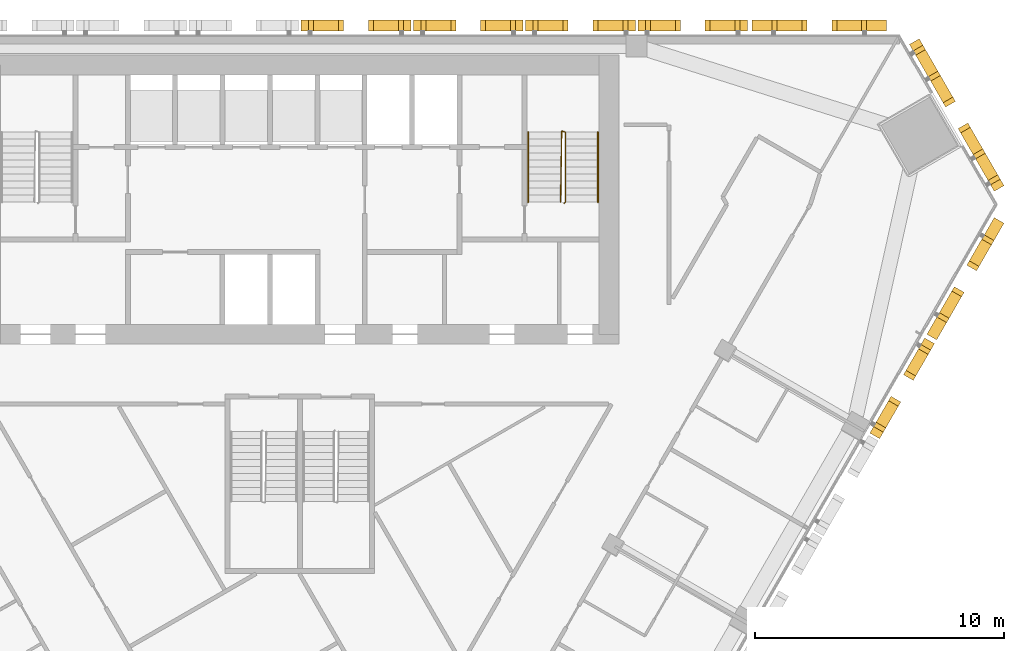
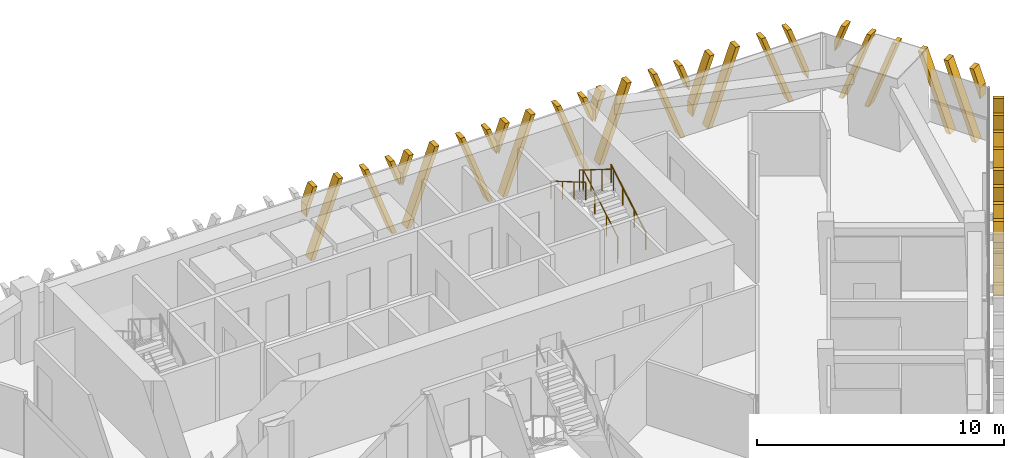
# One storey, part 15 of 16: 8 shading devices, 3 railings.
"""IFC4 building model written with IfcOpenShell, lengths in metres."""

from ifc_helpers import new_model, si_unit, direction, frame, origin, origin_2d, place, context, subcontext, project, spatial, polyline, circle, outline, extrude, source, transform, mapped, material, type_object, element, save


model = new_model("IFC4")

# Units and contexts
model_context = context("Model", 3, precision=1e-05, world=origin(), true_north=direction((0.0, 1.0)))
body_context = subcontext(model_context, "Body", "Model", "MODEL_VIEW")
ifc_project = project(units=[si_unit("LENGTHUNIT", "METRE"), si_unit("AREAUNIT", "SQUARE_METRE"), si_unit("VOLUMEUNIT", "CUBIC_METRE"), si_unit("PLANEANGLEUNIT", "RADIAN"), si_unit("MASSUNIT", "GRAM", prefix="KILO")], contexts=[model_context])

# Site, building, storey
site_placement = place(None, origin())
site = spatial("IfcSite", under=ifc_project, at=site_placement, CompositionType="ELEMENT")
building_placement = place(site_placement, origin())
building = spatial("IfcBuilding", under=site, at=building_placement, Name="Altiplano Prism Tower", CompositionType="ELEMENT")
storey_placement = place(building_placement, frame((0.0, 0.0, 127.800048828125)))
storey = spatial("IfcBuildingStorey", under=building, at=storey_placement, Name="L32", CompositionType="ELEMENT", Elevation=127.800048828125)

# Railings
ifc_material_1 = material(Name="Steel S355", Category="steel")
railing_type_1 = type_object("IfcRailingType", Name="Stair guard 1100", PredefinedType="GUARDRAIL", material=ifc_material_1)
railing_1_placement = place(storey_placement, frame((95.60009765625, 98.25, 0.0)))
element("IfcRailing", 1, at=railing_1_placement, inside=storey, type_object=railing_type_1, Name="L32 ST2 stair guard 1", PredefinedType="GUARDRAIL", context=body_context, shape_type="SweptSolid", body=[
    extrude(circle(Radius=0.02392578125, at=origin_2d()), frame((0.0, 0.0, 1.076171875), z_axis=(0.279546231943, 0.280916556609, 0.91811752648), x_axis=(-0.708833529934, 0.705375805398, 0.0)), (0.0, 0.0, 1.0), 0.17822265625),
    extrude(circle(Radius=0.02392578125, at=origin_2d()), frame((0.0498046875, 0.050048828125, 1.23974609375), z_axis=(0.0, 0.863360870873, 0.504586966384), x_axis=(-1.0, 0.0, 0.0)), (0.0, 0.0, 1.0), 3.2431640625),
    extrude(circle(Radius=0.02392578125, at=origin_2d()), frame((0.0498046875, 2.85009765625, 2.8759765625), z_axis=(-0.948991962702, 0.315300261223, 0.0), x_axis=(-0.315300261223, -0.948991962702, 0.0)), (0.0, 0.0, 1.0), 0.157958984375),
    extrude(circle(Radius=0.02392578125, at=origin_2d()), frame((-0.10009765625, 2.89990234375, 2.8759765625), z_axis=(-0.014846992469, -0.845409478506, 0.533912334065), x_axis=(0.999845825584, -0.017559187376, 0.0)), (0.0, 0.0, 1.0), 3.37109375),
    extrude(circle(Radius=0.02099609375, at=origin_2d()), origin(), (0.0, 0.0, 1.0), 1.052001953125),
    extrude(circle(Radius=0.02099609375, at=origin_2d()), frame((0.0498046875, 0.050048828125, 0.16357421875)), (0.0, 0.0, 1.0), 1.052001953125),
    extrude(circle(Radius=0.02099609375, at=origin_2d()), frame((0.0498046875, 0.9833984375, 0.708984375)), (0.0, 0.0, 1.0), 1.052001953125),
    extrude(circle(Radius=0.02099609375, at=origin_2d()), frame((0.0498046875, 1.916748046875, 1.254638671875)), (0.0, 0.0, 1.0), 1.052001953125),
    extrude(circle(Radius=0.02099609375, at=origin_2d()), frame((0.0498046875, 2.85009765625, 1.800048828125)), (0.0, 0.0, 1.0), 1.052001953125),
    extrude(circle(Radius=0.02099609375, at=origin_2d()), frame((-0.10009765625, 2.89990234375, 1.800048828125)), (0.0, 0.0, 1.0), 1.052001953125),
    extrude(circle(Radius=0.02099609375, at=origin_2d()), frame((-0.11669921875, 1.949951171875, 2.39990234375)), (0.0, 0.0, 1.0), 1.052001953125),
    extrude(circle(Radius=0.02099609375, at=origin_2d()), frame((-0.133544921875, 1.0, 3.0)), (0.0, 0.0, 1.0), 1.052001953125),
    extrude(circle(Radius=0.02099609375, at=origin_2d()), frame((-0.150146484375, 0.050048828125, 3.599853515625)), (0.0, 0.0, 1.0), 1.052001953125),
])
railing_type_2 = type_object("IfcRailingType", Name="Stair handrail 900", PredefinedType="HANDRAIL", material=ifc_material_1)
railing_2_placement = place(storey_placement, frame((96.949951171875, 98.300048828125, 0.16357421875)))
element("IfcRailing", 2, at=railing_2_placement, inside=storey, type_object=railing_type_2, Name="L32 ST2 stair handrail 1", PredefinedType="HANDRAIL", context=body_context, shape_type="SweptSolid", body=[
    extrude(circle(Radius=0.02392578125, at=origin_2d()), frame((0.0, 0.0, 0.8759765625), z_axis=(0.0, 0.863360870873, 0.504586966384), x_axis=(-1.0, 0.0, 0.0)), (0.0, 0.0, 1.0), 3.2431640625),
    extrude(circle(Radius=0.02099609375, at=origin_2d()), origin(), (0.0, 0.0, 1.0), 0.851806640625),
    extrude(circle(Radius=0.02099609375, at=origin_2d()), frame((0.0, 0.933349609375, 0.54541015625)), (0.0, 0.0, 1.0), 0.851806640625),
    extrude(circle(Radius=0.02099609375, at=origin_2d()), frame((0.0, 1.86669921875, 1.091064453125)), (0.0, 0.0, 1.0), 0.851806640625),
    extrude(circle(Radius=0.02099609375, at=origin_2d()), frame((0.0, 2.800048828125, 1.636474609375)), (0.0, 0.0, 1.0), 0.851806640625),
])
railing_3_placement = place(storey_placement, frame((94.14990234375, 101.10009765625, 1.963623046875)))
element("IfcRailing", 3, at=railing_3_placement, inside=storey, type_object=railing_type_2, Name="L32 ST2 stair handrail 2", PredefinedType="HANDRAIL", context=body_context, shape_type="SweptSolid", body=[
    extrude(circle(Radius=0.02392578125, at=origin_2d()), frame((0.0, 0.0, 0.8759765625), z_axis=(0.0, -0.863393664356, 0.504530851732), x_axis=(1.0, 0.0, 0.0)), (0.0, 0.0, 1.0), 3.2431640625),
    extrude(circle(Radius=0.02099609375, at=origin_2d()), origin(), (0.0, 0.0, 1.0), 0.851806640625),
    extrude(circle(Radius=0.02099609375, at=origin_2d()), frame((0.0, -0.933349609375, 0.54541015625)), (0.0, 0.0, 1.0), 0.851806640625),
    extrude(circle(Radius=0.02099609375, at=origin_2d()), frame((0.0, -1.86669921875, 1.0908203125)), (0.0, 0.0, 1.0), 0.851806640625),
    extrude(circle(Radius=0.02099609375, at=origin_2d()), frame((0.0, -2.800048828125, 1.63623046875)), (0.0, 0.0, 1.0), 0.851806640625),
])

# Shading devices
ifc_material_2 = material(Name="Warm limestone cast stone", Category="masonry")
shading_device_type_1 = type_object("IfcShadingDeviceType", Name="Stone fin panel, standard unit", PredefinedType="USERDEFINED", material=ifc_material_2)
shared_shape_1 = source(origin(), body_context, "Body", "SweptSolid", [
    extrude(outline(polyline([(-2.199951171875, 2.226318359375), (-1.699951171875, 3.60009765625), (-1.89990234375, 3.60009765625), (-2.199951171875, 2.77587890625), (-2.199951171875, 2.226318359375)])), frame((0.0, -0.14990234375, 0.0), z_axis=(0.0, -1.0, 0.0), x_axis=(1.0, 0.0, 0.0)), (0.0, 0.0, 1.0), 0.4501953125),
    extrude(outline(polyline([(-2.01025390625, 0.0), (-1.810302734375, 0.0), (-0.5, 3.60009765625), (-0.699951171875, 3.60009765625), (-2.01025390625, 0.0)])), frame((0.0, -0.14990234375, 0.0), z_axis=(0.0, -1.0, 0.0), x_axis=(1.0, 0.0, 0.0)), (0.0, 0.0, 1.0), 0.4501953125),
    extrude(outline(polyline([(1.810302734375, 0.0), (2.01025390625, 0.0), (0.699951171875, 3.60009765625), (0.5, 3.60009765625), (1.810302734375, 0.0)])), frame((0.0, -0.14990234375, 0.0), z_axis=(0.0, -1.0, 0.0), x_axis=(1.0, 0.0, 0.0)), (0.0, 0.0, 1.0), 0.4501953125),
    extrude(outline(polyline([(2.199951171875, 2.77587890625), (1.89990234375, 3.60009765625), (1.699951171875, 3.60009765625), (2.199951171875, 2.226318359375), (2.199951171875, 2.77587890625)])), frame((0.0, -0.14990234375, 0.0), z_axis=(0.0, -1.0, 0.0), x_axis=(1.0, 0.0, 0.0)), (0.0, 0.0, 1.0), 0.4501953125),
])
shading_device_1_placement = place(storey_placement, origin())
element("IfcShadingDevice", 4, at=shading_device_1_placement, inside=storey, type_object=shading_device_type_1, Name="Fin L32 north face 2", ObjectType="FIN", PredefinedType="USERDEFINED", context=body_context, shape_type="MappedRepresentation", body=[
    mapped(shared_shape_1, transform((100.75, 105.0, -0.449951171875), x_axis=(-1.0, 0.0, 0.0), y_axis=(0.0, -1.0, 0.0), z_axis=(0.0, 0.0, 1.0))),
])
shading_device_2_placement = place(storey_placement, origin())
element("IfcShadingDevice", 5, at=shading_device_2_placement, inside=storey, type_object=shading_device_type_1, Name="Fin L32 north face 3", ObjectType="FIN", PredefinedType="USERDEFINED", context=body_context, shape_type="MappedRepresentation", body=[
    mapped(shared_shape_1, transform((96.25, 105.0, -0.449951171875), x_axis=(-1.0, 0.0, 0.0), y_axis=(0.0, -1.0, 0.0), z_axis=(0.0, 0.0, 1.0))),
])
shading_device_3_placement = place(storey_placement, origin())
element("IfcShadingDevice", 6, at=shading_device_3_placement, inside=storey, type_object=shading_device_type_1, Name="Fin L32 north face 4", ObjectType="FIN", PredefinedType="USERDEFINED", context=body_context, shape_type="MappedRepresentation", body=[
    mapped(shared_shape_1, transform((91.75, 105.0, -0.449951171875), x_axis=(-1.0, 0.0, 0.0), y_axis=(0.0, -1.0, 0.0), z_axis=(0.0, 0.0, 1.0))),
])
shading_device_4_placement = place(storey_placement, origin())
element("IfcShadingDevice", 7, at=shading_device_4_placement, inside=storey, type_object=shading_device_type_1, Name="Fin L32 north face 5", ObjectType="FIN", PredefinedType="USERDEFINED", context=body_context, shape_type="MappedRepresentation", body=[
    mapped(shared_shape_1, transform((87.25, 105.0, -0.449951171875), x_axis=(-1.0, 0.0, 0.0), y_axis=(0.0, -1.0, 0.0), z_axis=(0.0, 0.0, 1.0))),
])
shading_device_5_placement = place(storey_placement, origin())
element("IfcShadingDevice", 8, at=shading_device_5_placement, inside=storey, type_object=shading_device_type_1, Name="Fin L32 south-east face 9", ObjectType="FIN", PredefinedType="USERDEFINED", context=body_context, shape_type="MappedRepresentation", body=[
    mapped(shared_shape_1, transform((108.82177734375, 91.019287109375, -0.449951171875), x_axis=(0.499999999907, 0.866025403838, 0.0), y_axis=(-0.866025403838, 0.499999999907, 0.0), z_axis=(0.0, 0.0, 1.0))),
])
shading_device_type_2 = type_object("IfcShadingDeviceType", Name="Stone fin panel, wide closing bay", PredefinedType="USERDEFINED", material=ifc_material_2)
shared_shape_2 = source(origin(), body_context, "Body", "SweptSolid", [
    extrude(outline(polyline([(-2.699951171875, 0.8525390625), (-1.699951171875, 3.60009765625), (-1.89990234375, 3.60009765625), (-2.699951171875, 1.402099609375), (-2.699951171875, 0.8525390625)])), frame((0.0, -0.14990234375, 0.0), z_axis=(0.0, -1.0, 0.0), x_axis=(1.0, 0.0, 0.0)), (0.0, 0.0, 1.0), 0.4501953125),
    extrude(outline(polyline([(-2.01025390625, 0.0), (-1.810302734375, 0.0), (-0.5, 3.60009765625), (-0.699951171875, 3.60009765625), (-2.01025390625, 0.0)])), frame((0.0, -0.14990234375, 0.0), z_axis=(0.0, -1.0, 0.0), x_axis=(1.0, 0.0, 0.0)), (0.0, 0.0, 1.0), 0.4501953125),
    extrude(outline(polyline([(1.810302734375, 0.0), (2.01025390625, 0.0), (0.699951171875, 3.60009765625), (0.5, 3.60009765625), (1.810302734375, 0.0)])), frame((0.0, -0.14990234375, 0.0), z_axis=(0.0, -1.0, 0.0), x_axis=(1.0, 0.0, 0.0)), (0.0, 0.0, 1.0), 0.4501953125),
    extrude(outline(polyline([(2.699951171875, 1.402099609375), (1.89990234375, 3.60009765625), (1.699951171875, 3.60009765625), (2.699951171875, 0.8525390625), (2.699951171875, 1.402099609375)])), frame((0.0, -0.14990234375, 0.0), z_axis=(0.0, -1.0, 0.0), x_axis=(1.0, 0.0, 0.0)), (0.0, 0.0, 1.0), 0.4501953125),
])
shading_device_6_placement = place(storey_placement, origin())
element("IfcShadingDevice", 9, at=shading_device_6_placement, inside=storey, type_object=shading_device_type_2, Name="Fin L32 north face 1", ObjectType="FIN", PredefinedType="USERDEFINED", context=body_context, shape_type="MappedRepresentation", body=[
    mapped(shared_shape_2, transform((105.824462890625, 105.0, -0.449951171875), x_axis=(-1.0, 0.0, 0.0), y_axis=(0.0, -1.0, 0.0), z_axis=(0.0, 0.0, 1.0))),
])
shading_device_7_placement = place(storey_placement, origin())
element("IfcShadingDevice", 10, at=shading_device_7_placement, inside=storey, type_object=shading_device_type_2, Name="Fin L32 south-east face 10", ObjectType="FIN", PredefinedType="USERDEFINED", context=body_context, shape_type="MappedRepresentation", body=[
    mapped(shared_shape_2, transform((111.359130859375, 95.413818359375, -0.449951171875), x_axis=(0.499999999907, 0.866025403838, 0.0), y_axis=(-0.866025403838, 0.499999999907, 0.0), z_axis=(0.0, 0.0, 1.0))),
])
shading_device_type_3 = type_object("IfcShadingDeviceType", Name="Stone fin panel, chamfer unit", PredefinedType="USERDEFINED", material=ifc_material_2)
shared_shape_3 = source(origin(), body_context, "Body", "SweptSolid", [
    extrude(outline(polyline([(-3.39990234375, 2.226318359375), (-2.89990234375, 3.60009765625), (-3.10009765625, 3.60009765625), (-3.39990234375, 2.77587890625), (-3.39990234375, 2.226318359375)])), frame((0.0, -0.14990234375, 0.0), z_axis=(0.0, -1.0, 0.0), x_axis=(1.0, 0.0, 0.0)), (0.0, 0.0, 1.0), 0.4501953125),
    extrude(outline(polyline([(-3.210205078125, 0.0), (-3.01025390625, 0.0), (-1.699951171875, 3.60009765625), (-1.89990234375, 3.60009765625), (-3.210205078125, 0.0)])), frame((0.0, -0.14990234375, 0.0), z_axis=(0.0, -1.0, 0.0), x_axis=(1.0, 0.0, 0.0)), (0.0, 0.0, 1.0), 0.4501953125),
    extrude(outline(polyline([(-2.01025390625, 0.0), (-1.810302734375, 0.0), (-0.5, 3.60009765625), (-0.699951171875, 3.60009765625), (-2.01025390625, 0.0)])), frame((0.0, -0.14990234375, 0.0), z_axis=(0.0, -1.0, 0.0), x_axis=(1.0, 0.0, 0.0)), (0.0, 0.0, 1.0), 0.4501953125),
    extrude(outline(polyline([(1.810302734375, 0.0), (2.01025390625, 0.0), (0.699951171875, 3.60009765625), (0.5, 3.60009765625), (1.810302734375, 0.0)])), frame((0.0, -0.14990234375, 0.0), z_axis=(0.0, -1.0, 0.0), x_axis=(1.0, 0.0, 0.0)), (0.0, 0.0, 1.0), 0.4501953125),
    extrude(outline(polyline([(3.01025390625, 0.0), (3.210205078125, 0.0), (1.89990234375, 3.60009765625), (1.699951171875, 3.60009765625), (3.01025390625, 0.0)])), frame((0.0, -0.14990234375, 0.0), z_axis=(0.0, -1.0, 0.0), x_axis=(1.0, 0.0, 0.0)), (0.0, 0.0, 1.0), 0.4501953125),
    extrude(outline(polyline([(3.39990234375, 2.77587890625), (3.10009765625, 3.60009765625), (2.89990234375, 3.60009765625), (3.39990234375, 2.226318359375), (3.39990234375, 2.77587890625)])), frame((0.0, -0.14990234375, 0.0), z_axis=(0.0, -1.0, 0.0), x_axis=(1.0, 0.0, 0.0)), (0.0, 0.0, 1.0), 0.4501953125),
])
shading_device_8_placement = place(storey_placement, origin())
element("IfcShadingDevice", 11, at=shading_device_8_placement, inside=storey, type_object=shading_device_type_3, Name="Fin L32 north-east chamfer 1", ObjectType="FIN", PredefinedType="USERDEFINED", context=body_context, shape_type="MappedRepresentation", body=[
    mapped(shared_shape_3, transform((111.010009765625, 101.60302734375, -0.449951171875), x_axis=(-0.499999999907, 0.866025403838, 0.0), y_axis=(-0.866025403838, -0.499999999907, 0.0), z_axis=(0.0, 0.0, 1.0))),
])

save(model, "model.ifc")
